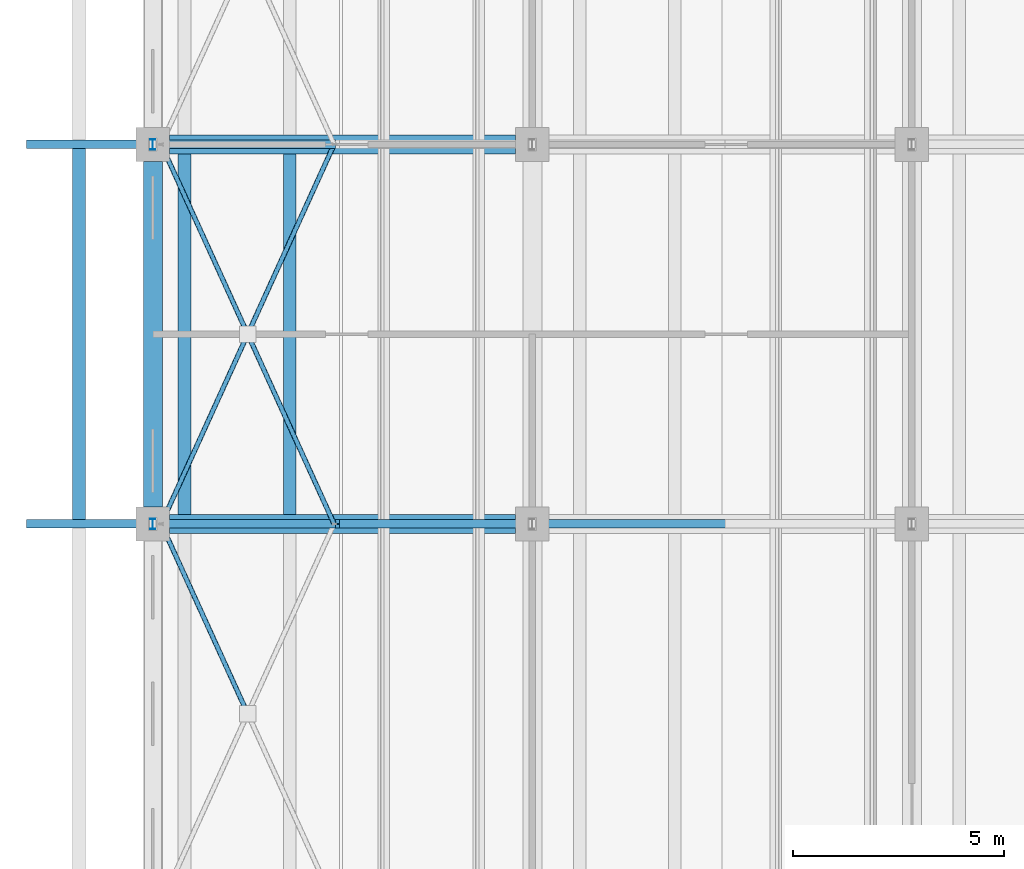
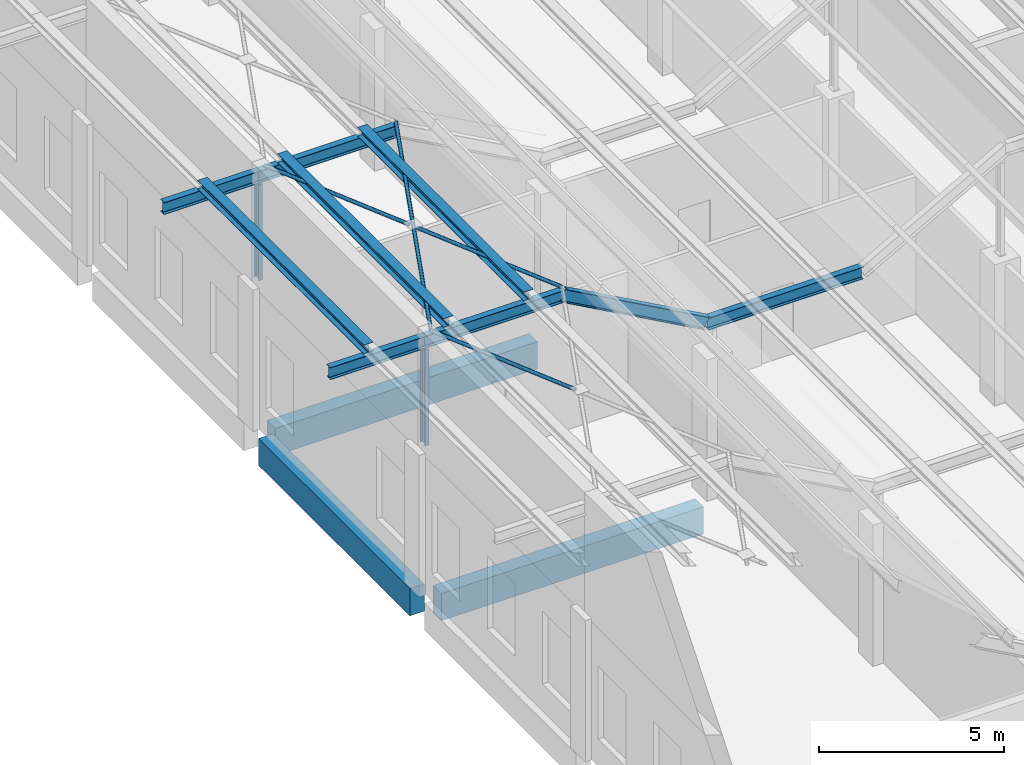
# One storey, part 28 of 437: 15 members, 3 beams.
"""IFC4 building model written with IfcOpenShell, lengths in metres."""

from ifc_helpers import new_model, si_unit, direction, frame, origin, origin_2d, place, context, subcontext, project, spatial, rectangle, hollow_circle, i_section, extrude, material, material_profile, profile_set, type_object, element, save


model = new_model("IFC4")

# Units and contexts
model_context = context("Model", 3, precision=1e-05, world=origin(), true_north=direction((0.0, 1.0)))
body_context = subcontext(model_context, "Body", "Model", "MODEL_VIEW")
ifc_project = project(units=[si_unit("LENGTHUNIT", "METRE"), si_unit("AREAUNIT", "SQUARE_METRE"), si_unit("VOLUMEUNIT", "CUBIC_METRE"), si_unit("PLANEANGLEUNIT", "RADIAN"), si_unit("MASSUNIT", "GRAM", prefix="KILO")], contexts=[model_context])

# Site, building, storey
site_placement = place(None, origin())
site = spatial("IfcSite", under=ifc_project, at=site_placement, CompositionType="ELEMENT")
building_placement = place(site_placement, origin())
building = spatial("IfcBuilding", under=site, at=building_placement, Name="Opaline Strait Convention Centre", CompositionType="ELEMENT")
storey_placement = place(building_placement, frame((0.0, 0.0, 11.5)))
storey = spatial("IfcBuildingStorey", under=building, at=storey_placement, Name="L02", CompositionType="ELEMENT", Elevation=11.5)

# Members
ifc_material_1 = material(Name="Steel Q355B", Category="steel")
ifc_material_profile_1 = material_profile(ifc_material_1, i_section(OverallWidth=0.300048828125, OverallDepth=0.300048828125, WebThickness=0.010009765625, FlangeThickness=0.014892578125, FilletRadius=0.012939453125, at=origin_2d()), Name="HW 300x300x10x15")
ifc_profile_set_1 = profile_set([ifc_material_profile_1], Name="Steel Q355B")
member_type_1 = type_object("IfcMemberType", Name="Crest purlin HW 300x300x10x15", PredefinedType="PURLIN", material=ifc_profile_set_1)
for number, where, z_axis, x_axis, name in (
    (1, (7.25, 45.0, 8.449951171875), (0.0, 1.0, 0.0), (-1.0, 0.0, 0.0), "RU1 purlin facet 1 line 1"),
    (2, (9.75, 45.0, 8.449951171875), (0.0, 1.0, 0.0), (-1.0, 0.0, 0.0), "RU1 purlin facet 1 line 2"),
    (3, (12.25, 45.0, 8.449951171875), (0.0, 1.0, 0.0), (-1.0, 0.0, 0.0), "RU1 purlin facet 1 line 3"),
):
    element("IfcMember", number, at=place(storey_placement, frame(where, z_axis=z_axis, x_axis=x_axis)), inside=storey, type_object=member_type_1, Name=name, PredefinedType="PURLIN", context=body_context, shape_type="SweptSolid", body=[
        extrude(i_section(OverallWidth=0.300048828125, OverallDepth=0.300048828125, WebThickness=0.010009765625, FlangeThickness=0.014892578125, FilletRadius=0.012939453125, at=origin_2d()), origin(), (0.0, 0.0, 1.0), 9.0),
    ])

# Beams
ifc_material_2 = material(Name="Concrete C35", Category="concrete")
ifc_material_profile_2 = material_profile(ifc_material_2, rectangle(XDim=0.449951171875, YDim=0.89990234375, at=origin_2d()), Name="RC 450x900")
ifc_profile_set_2 = profile_set([ifc_material_profile_2], Name="Concrete C35")
beam_type = type_object("IfcBeamType", Name="RC beam 450x900 C35", PredefinedType="BEAM", material=ifc_profile_set_2)
for number, where, z_axis, x_axis, name in (
    (4, (9.39990234375, 45.0, -0.72998046875), (1.0, 0.0, 0.0), (0.0, 1.0, 0.0), "XB1 L02 9/45-18/45"),
    (5, (9.39990234375, 54.0, -0.72998046875), (1.0, 0.0, 0.0), (0.0, 1.0, 0.0), "XB1 L02 9/54-18/54"),
    (6, (9.0, 45.39990234375, -0.72998046875), (0.0, 1.0, 0.0), (-1.0, 0.0, 0.0), "XB1 L02 9/45-9/54"),
):
    element("IfcBeam", number, at=place(storey_placement, frame(where, z_axis=z_axis, x_axis=x_axis)), inside=storey, type_object=beam_type, Name=name, PredefinedType="BEAM", context=body_context, shape_type="SweptSolid", body=[
        extrude(rectangle(XDim=0.449951171875, YDim=0.89990234375, at=origin_2d()), origin(), (0.0, 0.0, 1.0), 8.2001953125),
    ])

# Members
ifc_material_profile_3 = material_profile(ifc_material_1, hollow_circle(Radius=0.056884765625, WallThickness=0.006103515625, at=origin_2d()), Name="CHS 114x6")
ifc_profile_set_3 = profile_set([ifc_material_profile_3], Name="Steel Q355B")
member_type_2 = type_object("IfcMemberType", Name="Roof bracing CHS 114x6", PredefinedType="BRACE", material=ifc_profile_set_3)
member_1_placement = place(storey_placement, frame((11.197265625, 40.61572265625, 8.35693359375), z_axis=(-0.414570207506, 0.91001733118, 0.0), x_axis=(-0.91001733118, -0.414570207506, 0.0)))
element("IfcMember", 7, at=member_1_placement, inside=storey, type_object=member_type_2, Name="RX1 roof brace bay 4 at 9", PredefinedType="BRACE", context=body_context, shape_type="SweptSolid", body=[
    extrude(hollow_circle(Radius=0.056884765625, WallThickness=0.006103515625, at=origin_2d()), origin(), (0.0, 0.0, 1.0), 4.81787109375),
])
member_2_placement = place(storey_placement, frame((9.199951171875, 45.0, 8.35693359375), z_axis=(0.414572789354, 0.910016154981, 0.0), x_axis=(-0.910016154981, 0.414572789354, 0.0)))
element("IfcMember", 8, at=member_2_placement, inside=storey, type_object=member_type_2, Name="RX1 roof brace bay 5 at 9", PredefinedType="BRACE", context=body_context, shape_type="SweptSolid", body=[
    extrude(hollow_circle(Radius=0.056884765625, WallThickness=0.006103515625, at=origin_2d()), origin(), (0.0, 0.0, 1.0), 9.889892578125),
])
for number, where, z_axis, x_axis, name in (
    (9, (13.300048828125, 45.0, 8.35693359375), (-0.414570207506, 0.91001733118, 0.0), (-0.91001733118, -0.414570207506, 0.0), "RX1 roof brace bay 5 at 9"),
    (10, (11.197265625, 49.61572265625, 8.35693359375), (-0.414570207506, 0.91001733118, 0.0), (-0.91001733118, -0.414570207506, 0.0), "RX1 roof brace bay 5 at 9"),
):
    element("IfcMember", number, at=place(storey_placement, frame(where, z_axis=z_axis, x_axis=x_axis)), inside=storey, type_object=member_type_2, Name=name, PredefinedType="BRACE", context=body_context, shape_type="SweptSolid", body=[
        extrude(hollow_circle(Radius=0.056884765625, WallThickness=0.006103515625, at=origin_2d()), origin(), (0.0, 0.0, 1.0), 4.81787109375),
    ])
ifc_material_profile_4 = material_profile(ifc_material_1, i_section(OverallWidth=0.125, OverallDepth=0.25, WebThickness=0.006103515625, FlangeThickness=0.009033203125, FilletRadius=0.008056640625, at=origin_2d()), Name="HN 250x125x6x9")
ifc_profile_set_4 = profile_set([ifc_material_profile_4], Name="Steel Q355B")
member_type_3 = type_object("IfcMemberType", Name="Roof post HN 250x125x6x9", PredefinedType="STRUT", material=ifc_profile_set_4)
for number, where, z_axis, x_axis, name in (
    (11, (9.0, 45.0, 4.68994140625), (0.0, 0.0, 1.0), (1.0, 0.0, 0.0), "RP1 roof post at 9/45"),
    (12, (9.0, 54.0, 4.68994140625), (0.0, 0.0, 1.0), (1.0, 0.0, 0.0), "RP1 roof post at 9/54"),
):
    element("IfcMember", number, at=place(storey_placement, frame(where, z_axis=z_axis, x_axis=x_axis)), inside=storey, type_object=member_type_3, Name=name, PredefinedType="STRUT", context=body_context, shape_type="SweptSolid", body=[
        extrude(i_section(OverallWidth=0.125, OverallDepth=0.25, WebThickness=0.006103515625, FlangeThickness=0.009033203125, FilletRadius=0.008056640625, at=origin_2d()), origin(), (0.0, 0.0, 1.0), 3.195068359375),
    ])
ifc_material_profile_5 = material_profile(ifc_material_1, i_section(OverallWidth=0.199951171875, OverallDepth=0.39990234375, WebThickness=0.008056640625, FlangeThickness=0.012939453125, FilletRadius=0.012939453125, at=origin_2d()), Name="HN 400x200x8x13")
ifc_profile_set_5 = profile_set([ifc_material_profile_5], Name="Steel Q355B")
member_type_4 = type_object("IfcMemberType", Name="Roof rafter HN 400x200x8x13", PredefinedType="RAFTER", material=ifc_profile_set_5)
member_3_placement = place(storey_placement, frame((6.0, 45.0, 8.10009765625), z_axis=(1.0, 0.0, 0.0), x_axis=(0.0, 1.0, 0.0)))
element("IfcMember", 13, at=member_3_placement, inside=storey, type_object=member_type_4, Name="RR1 rafter line 5 facet 1", PredefinedType="RAFTER", context=body_context, shape_type="SweptSolid", body=[
    extrude(i_section(OverallWidth=0.199951171875, OverallDepth=0.39990234375, WebThickness=0.008056640625, FlangeThickness=0.012939453125, FilletRadius=0.012939453125, at=origin_2d()), origin(), (0.0, 0.0, 1.0), 3.0),
])
member_4_placement = place(storey_placement, frame((9.0, 45.0, 8.10009765625), z_axis=(1.0, 0.0, 0.0), x_axis=(0.0, 1.0, 0.0)))
element("IfcMember", 14, at=member_4_placement, inside=storey, type_object=member_type_4, Name="RR1 rafter line 5 facet 2", PredefinedType="RAFTER", context=body_context, shape_type="SweptSolid", body=[
    extrude(i_section(OverallWidth=0.199951171875, OverallDepth=0.39990234375, WebThickness=0.008056640625, FlangeThickness=0.012939453125, FilletRadius=0.012939453125, at=origin_2d()), origin(), (0.0, 0.0, 1.0), 4.33154296875),
])
member_5_placement = place(storey_placement, frame((13.33154296875, 45.0, 8.10009765625), z_axis=(0.874157276122, 0.0, -0.485642931179), x_axis=(0.0, 1.0, 0.0)))
element("IfcMember", 15, at=member_5_placement, inside=storey, type_object=member_type_4, Name="RR1 rafter line 5 facet 3", PredefinedType="RAFTER", context=body_context, shape_type="SweptSolid", body=[
    extrude(i_section(OverallWidth=0.199951171875, OverallDepth=0.39990234375, WebThickness=0.008056640625, FlangeThickness=0.012939453125, FilletRadius=0.012939453125, at=origin_2d()), origin(), (0.0, 0.0, 1.0), 5.147705078125),
])
member_6_placement = place(storey_placement, frame((17.83154296875, 45.0, 5.60009765625), z_axis=(1.0, 0.0, 0.0), x_axis=(0.0, 1.0, 0.0)))
element("IfcMember", 16, at=member_6_placement, inside=storey, type_object=member_type_4, Name="RR1 rafter line 5 facet 4", PredefinedType="RAFTER", context=body_context, shape_type="SweptSolid", body=[
    extrude(i_section(OverallWidth=0.199951171875, OverallDepth=0.39990234375, WebThickness=0.008056640625, FlangeThickness=0.012939453125, FilletRadius=0.012939453125, at=origin_2d()), origin(), (0.0, 0.0, 1.0), 4.8369140625),
])
member_7_placement = place(storey_placement, frame((6.0, 54.0, 8.10009765625), z_axis=(1.0, 0.0, 0.0), x_axis=(0.0, 1.0, 0.0)))
element("IfcMember", 17, at=member_7_placement, inside=storey, type_object=member_type_4, Name="RR1 rafter line 6 facet 1", PredefinedType="RAFTER", context=body_context, shape_type="SweptSolid", body=[
    extrude(i_section(OverallWidth=0.199951171875, OverallDepth=0.39990234375, WebThickness=0.008056640625, FlangeThickness=0.012939453125, FilletRadius=0.012939453125, at=origin_2d()), origin(), (0.0, 0.0, 1.0), 3.0),
])
member_8_placement = place(storey_placement, frame((9.0, 54.0, 8.10009765625), z_axis=(1.0, 0.0, 0.0), x_axis=(0.0, 1.0, 0.0)))
element("IfcMember", 18, at=member_8_placement, inside=storey, type_object=member_type_4, Name="RR1 rafter line 6 facet 2", PredefinedType="RAFTER", context=body_context, shape_type="SweptSolid", body=[
    extrude(i_section(OverallWidth=0.199951171875, OverallDepth=0.39990234375, WebThickness=0.008056640625, FlangeThickness=0.012939453125, FilletRadius=0.012939453125, at=origin_2d()), origin(), (0.0, 0.0, 1.0), 4.33154296875),
])

save(model, "model.ifc")
